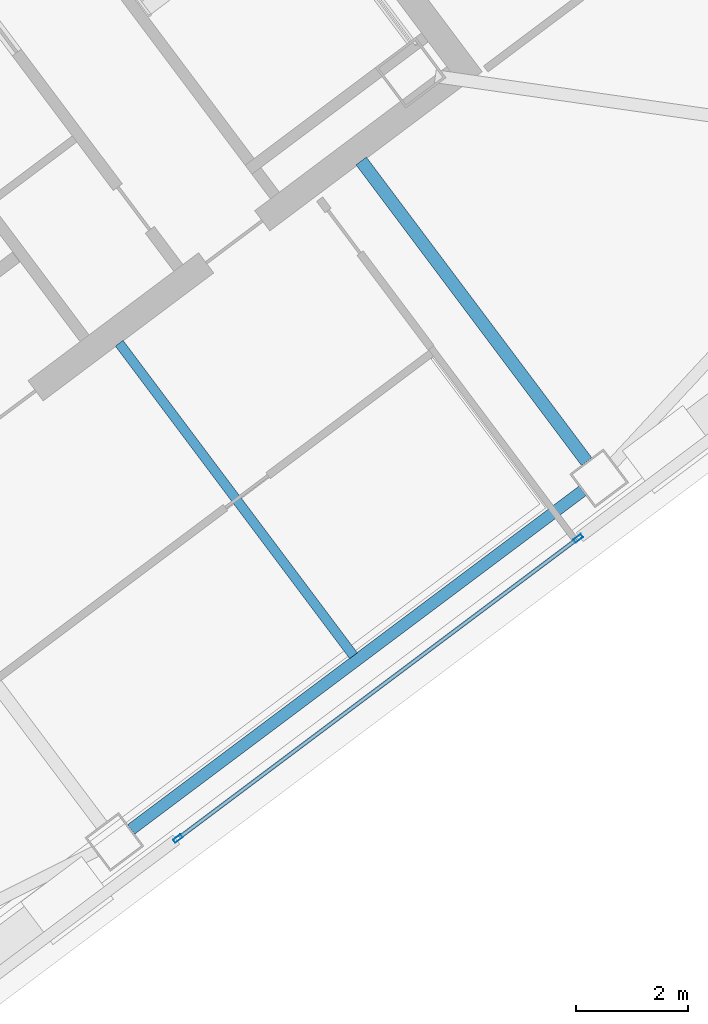
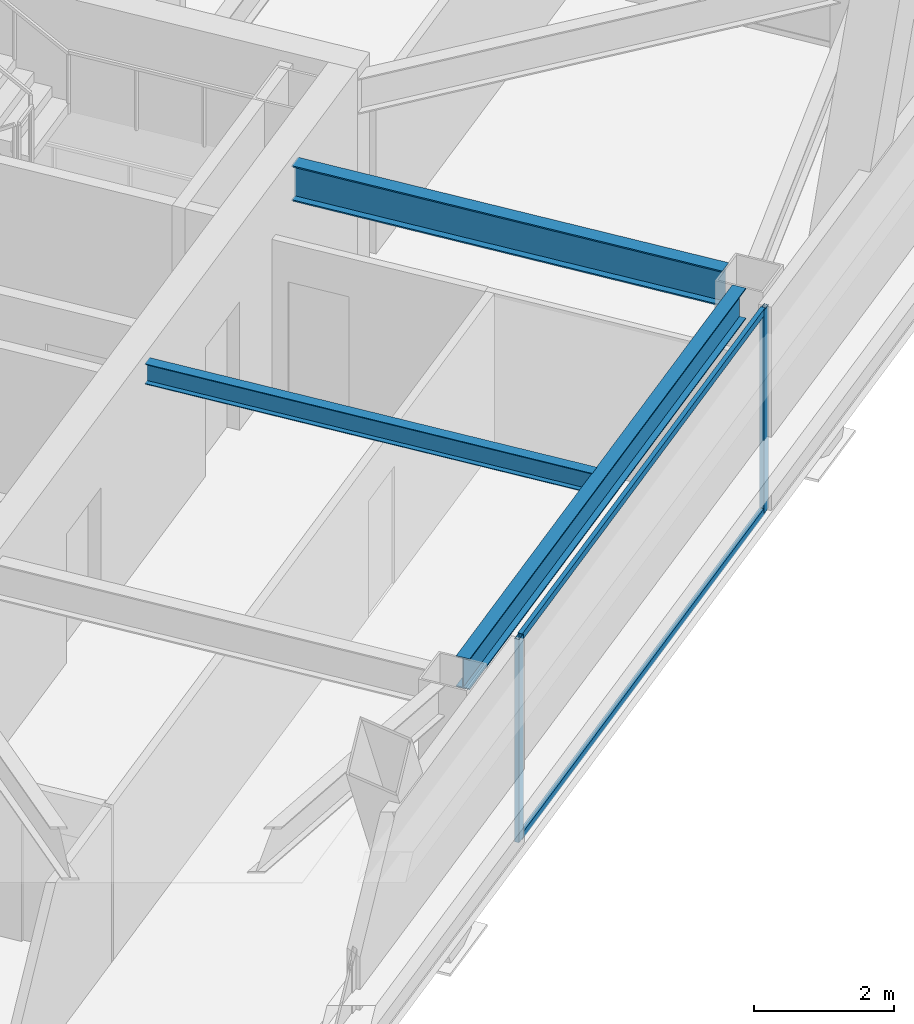
# One storey, part 35 of 56: 4 members, 3 beams, 1 element without a shape of its own.
"""IFC4 building model written with IfcOpenShell, lengths in metres."""

from ifc_helpers import new_model, si_unit, direction, frame, origin, origin_2d, place, context, subcontext, project, spatial, hollow_rectangle, i_section, extrude, material, material_profile, profile_set, type_object, element, aggregate, save


model = new_model("IFC4")

# Units and contexts
model_context = context("Model", 3, precision=1e-05, world=origin(), true_north=direction((0.0, 1.0)))
body_context = subcontext(model_context, "Body", "Model", "MODEL_VIEW")
ifc_project = project(units=[si_unit("LENGTHUNIT", "METRE"), si_unit("AREAUNIT", "SQUARE_METRE"), si_unit("VOLUMEUNIT", "CUBIC_METRE"), si_unit("PLANEANGLEUNIT", "RADIAN"), si_unit("MASSUNIT", "GRAM", prefix="KILO")], contexts=[model_context])

# Site, building, storey
site_placement = place(None, origin())
site = spatial("IfcSite", under=ifc_project, at=site_placement, CompositionType="ELEMENT")
building_placement = place(site_placement, origin())
building = spatial("IfcBuilding", under=site, at=building_placement, Name="Tashvorn Skyway Center", CompositionType="ELEMENT")
storey_placement = place(building_placement, frame((0.0, 0.0, 218.39990234375)))
storey = spatial("IfcBuildingStorey", under=building, at=storey_placement, Name="L59", CompositionType="ELEMENT", Elevation=218.39990234375)

# Beams
ifc_material_1 = material(Name="Steel ASTM A992 Grade 50", Category="steel")
ifc_material_profile_1 = material_profile(ifc_material_1, i_section(OverallWidth=0.22998046875, OverallDepth=0.616943359375, WebThickness=0.01318359375, FlangeThickness=0.022216796875, at=origin_2d()), Name="W24X94")
ifc_profile_set_1 = profile_set([ifc_material_profile_1], Name="Steel ASTM A992 Grade 50")
beam_type_1 = type_object("IfcBeamType", Name="BM-BEAM-W24X94", PredefinedType="BEAM", material=ifc_profile_set_1)
beam_1_placement = place(storey_placement, frame((127.008056640625, 23.656005859375, 3.0615234375), z_axis=(-0.599994169845, 0.800004372583, 0.0), x_axis=(-0.800004372583, -0.599994169845, 0.0)))
element("IfcBeam", 1, at=beam_1_placement, inside=storey, type_object=beam_type_1, Name="Tower 2 L59 Primary Floor Girder FC-S2", PredefinedType="BEAM", context=body_context, shape_type="SweptSolid", body=[
    extrude(i_section(OverallWidth=0.22998046875, OverallDepth=0.616943359375, WebThickness=0.01318359375, FlangeThickness=0.022216796875, at=origin_2d()), origin(), (0.0, 0.0, 1.0), 6.7001953125),
])
ifc_material_profile_2 = material_profile(ifc_material_1, i_section(OverallWidth=0.1708984375, OverallDepth=0.35498046875, WebThickness=0.007080078125, FlangeThickness=0.01171875, at=origin_2d()), Name="W14X34")
ifc_profile_set_2 = profile_set([ifc_material_profile_2], Name="Steel ASTM A992 Grade 50")
beam_type_2 = type_object("IfcBeamType", Name="BM-JOIST-W14X34", PredefinedType="JOIST", material=ifc_profile_set_2)
beam_2_placement = place(storey_placement, frame((118.674072265625, 25.76806640625, 3.192626953125), z_axis=(0.599994389612, -0.800004207761, 0.0), x_axis=(0.800004207761, 0.599994389612, 0.0)))
element("IfcBeam", 2, at=beam_2_placement, inside=storey, type_object=beam_type_2, Name="Tower 2 L59 Secondary Composite Joist JS", PredefinedType="JOIST", context=body_context, shape_type="SweptSolid", body=[
    extrude(i_section(OverallWidth=0.1708984375, OverallDepth=0.35498046875, WebThickness=0.007080078125, FlangeThickness=0.01171875, at=origin_2d()), origin(), (0.0, 0.0, 1.0), 6.962646484375),
])
ifc_material_profile_3 = material_profile(ifc_material_1, i_section(OverallWidth=0.2109375, OverallDepth=0.5390625, WebThickness=0.01171875, FlangeThickness=0.018798828125, at=origin_2d()), Name="W21X73")
ifc_profile_set_3 = profile_set([ifc_material_profile_3], Name="Steel ASTM A992 Grade 50")
beam_type_3 = type_object("IfcBeamType", Name="BM-SPANDREL-W21X73", PredefinedType="SPANDREL", material=ifc_profile_set_3)
beam_3_placement = place(storey_placement, frame((118.885986328125, 17.10205078125, 3.1005859375), z_axis=(0.800008736549, 0.599988351091, 0.0), x_axis=(-0.599988351091, 0.800008736549, 0.0)))
element("IfcBeam", 3, at=beam_3_placement, inside=storey, type_object=beam_type_3, Name="Tower 2 L59 Spandrel Beam 02", PredefinedType="SPANDREL", context=body_context, shape_type="SweptSolid", body=[
    extrude(i_section(OverallWidth=0.2109375, OverallDepth=0.5390625, WebThickness=0.01171875, FlangeThickness=0.018798828125, at=origin_2d()), origin(), (0.0, 0.0, 1.0), 10.06005859375),
])

# Curtain wall, members
ifc_material_2 = material(Name="Thermally broken bronze-anodized aluminium 6063-T6", Category="aluminium")
curtain_wall_type = type_object("IfcCurtainWallType", Name="CW-CW-Z5", PredefinedType="NOTDEFINED", material=ifc_material_2)
curtain_wall_placement = place(storey_placement, origin())
curtain_wall = element("IfcCurtainWall", 4, at=curtain_wall_placement, inside=storey, type_object=curtain_wall_type, Name="Tower 2 L59 South Unitised Curtain Wall Glazing Group 2", PredefinedType="NOTDEFINED")
ifc_material_profile_4 = material_profile(ifc_material_2, hollow_rectangle(XDim=0.070068359375, YDim=0.1650390625, WallThickness=0.00390625, at=origin_2d()), Name="ALU-MULL-70x165")
ifc_profile_set_4 = profile_set([ifc_material_profile_4], Name="Thermally broken bronze-anodized aluminium 6063-T6")
member_type_1 = type_object("IfcMemberType", Name="CWM-CW-Z5", PredefinedType="MULLION", material=ifc_profile_set_4)
member_1_placement = place(storey_placement, frame((126.854736328125, 22.291015625, 0.0), z_axis=(0.0, 0.0, 1.0), x_axis=(0.599996439189, -0.800002670596, 0.0)))
member_1 = element("IfcMember", 5, at=member_1_placement, type_object=member_type_1, Name="CW-Z5 mullion 1", PredefinedType="MULLION", context=body_context, shape_type="SweptSolid", body=[
    extrude(hollow_rectangle(XDim=0.070068359375, YDim=0.1650390625, WallThickness=0.00390625, at=origin_2d()), origin(), (0.0, 0.0, 1.0), 3.550048828125),
])
member_2_placement = place(storey_placement, frame((119.72119140625, 16.94091796875, 0.0), z_axis=(0.0, 0.0, 1.0), x_axis=(0.599996439189, -0.800002670596, 0.0)))
member_2 = element("IfcMember", 6, at=member_2_placement, type_object=member_type_1, Name="CW-Z5 mullion 2", PredefinedType="MULLION", context=body_context, shape_type="SweptSolid", body=[
    extrude(hollow_rectangle(XDim=0.070068359375, YDim=0.1650390625, WallThickness=0.00390625, at=origin_2d()), origin(), (0.0, 0.0, 1.0), 3.550048828125),
])
ifc_material_profile_5 = material_profile(ifc_material_2, hollow_rectangle(XDim=0.070068359375, YDim=0.114990234375, WallThickness=0.00390625, at=origin_2d()), Name="ALU-TRAN-70x115")
ifc_profile_set_5 = profile_set([ifc_material_profile_5], Name="Thermally broken bronze-anodized aluminium 6063-T6")
member_type_2 = type_object("IfcMemberType", Name="CWT-CW-Z5", PredefinedType="USERDEFINED", material=ifc_profile_set_5)
member_3_placement = place(storey_placement, frame((126.82666015625, 22.27001953125, 0.03515625), z_axis=(-0.799996688401, -0.600004415441, 0.0), x_axis=(0.600004415441, -0.799996688401, 0.0)))
member_3 = element("IfcMember", 7, at=member_3_placement, type_object=member_type_2, Name="CW-Z5 transom 1.1", ObjectType="TRANSOM", PredefinedType="USERDEFINED", context=body_context, shape_type="SweptSolid", body=[
    extrude(hollow_rectangle(XDim=0.070068359375, YDim=0.114990234375, WallThickness=0.00390625, at=origin_2d()), origin(), (0.0, 0.0, 1.0), 8.8466796875),
])
member_4_placement = place(storey_placement, frame((126.82666015625, 22.27001953125, 3.51513671875), z_axis=(-0.799996688401, -0.600004415441, 0.0), x_axis=(0.600004415441, -0.799996688401, 0.0)))
member_4 = element("IfcMember", 8, at=member_4_placement, type_object=member_type_2, Name="CW-Z5 transom 1.2", ObjectType="TRANSOM", PredefinedType="USERDEFINED", context=body_context, shape_type="SweptSolid", body=[
    extrude(hollow_rectangle(XDim=0.070068359375, YDim=0.114990234375, WallThickness=0.00390625, at=origin_2d()), origin(), (0.0, 0.0, 1.0), 8.8466796875),
])
aggregate(curtain_wall, [member_1, member_2, member_3, member_4])

save(model, "model.ifc")
